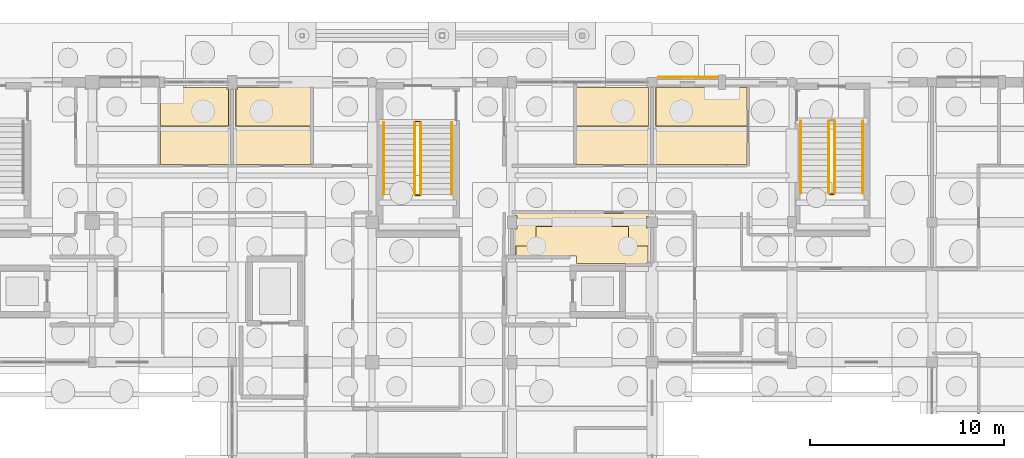
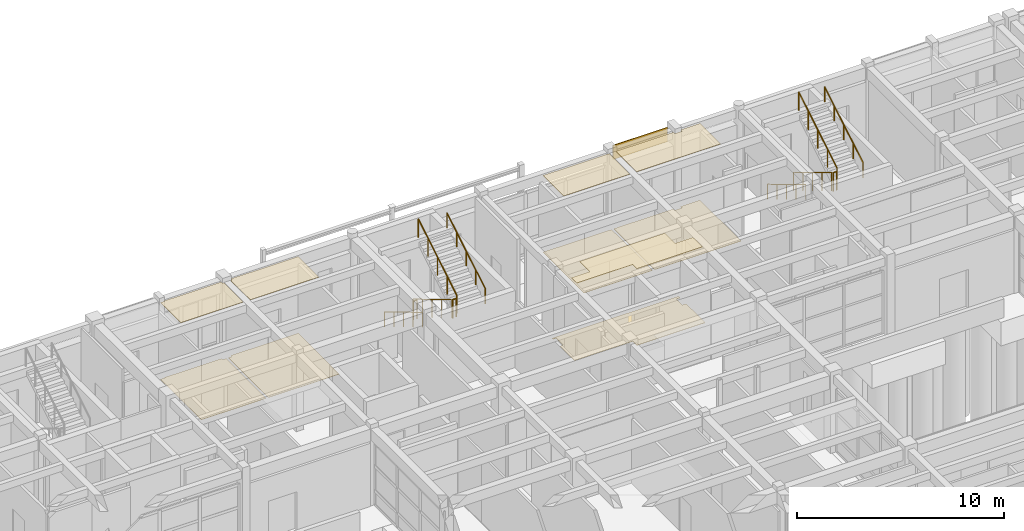
# One storey, part 137 of 143: 11 coverings, 11 railings.
"""IFC4 building model written with IfcOpenShell, lengths in metres."""

from ifc_helpers import new_model, si_unit, direction, frame, origin, origin_2d, place, context, subcontext, project, spatial, polyline, rectangle, circle, outline, extrude, material, layer, layer_set, type_object, element, save


model = new_model("IFC4")

# Units and contexts
model_context = context("Model", 3, precision=1e-05, world=origin(), true_north=direction((0.0, 1.0)))
body_context = subcontext(model_context, "Body", "Model", "MODEL_VIEW")
ifc_project = project(units=[si_unit("LENGTHUNIT", "METRE"), si_unit("AREAUNIT", "SQUARE_METRE"), si_unit("VOLUMEUNIT", "CUBIC_METRE"), si_unit("PLANEANGLEUNIT", "RADIAN"), si_unit("MASSUNIT", "GRAM", prefix="KILO")], contexts=[model_context])

# Site, building, storey
site_placement = place(None, origin())
site = spatial("IfcSite", under=ifc_project, at=site_placement, CompositionType="ELEMENT")
building_placement = place(site_placement, origin())
building = spatial("IfcBuilding", under=site, at=building_placement, Name="Steenspoor Specialist Clinic", CompositionType="ELEMENT")
storey_placement = place(building_placement, origin())
storey = spatial("IfcBuildingStorey", under=building, at=storey_placement, Name="L00", CompositionType="ELEMENT", Elevation=0.0)

# Coverings
ifc_material_1 = material(Name="Washable acoustic mineral ceiling board", Category="gypsum")
ifc_layer_1 = layer(ifc_material_1, 0.02490234375)
ifc_layer_set_1 = layer_set([ifc_layer_1], Name="Washable acoustic mineral ceiling board")
covering_type_1 = type_object("IfcCoveringType", Name="COV-CEIL-ACOUSTIC", PredefinedType="CEILING", material=ifc_layer_set_1)
covering_1_placement = place(storey_placement, frame((0.0, 0.0, 4.52490234375)))
element("IfcCovering", 1, at=covering_1_placement, inside=storey, type_object=covering_type_1, Name="Acoustic Clinical Ceiling 069", PredefinedType="CEILING", context=body_context, shape_type="SweptSolid", body=[
    extrude(outline(polyline([(91.715087890625, 99.014892578125), (91.715087890625, 99.4150390625), (88.594970703125, 99.4150390625), (88.594970703125, 99.929931640625), (89.6201171875, 99.929931640625), (89.6201171875, 100.929931640625), (94.3798828125, 100.929931640625), (94.3798828125, 99.929931640625), (95.3798828125, 99.929931640625), (95.3798828125, 99.014892578125), (91.715087890625, 99.014892578125)])), origin(), (0.0, 0.0, 1.0), 0.025146484375),
])
covering_2_placement = place(storey_placement, frame((0.0, 0.0, 4.52490234375)))
element("IfcCovering", 2, at=covering_2_placement, inside=storey, type_object=covering_type_1, Name="Acoustic Clinical Ceiling 070", PredefinedType="CEILING", context=body_context, shape_type="SweptSolid", body=[
    extrude(outline(polyline([(73.735107421875, 108.090087890625), (73.735107421875, 107.985107421875), (73.804931640625, 107.985107421875), (73.804931640625, 106.10009765625), (70.31494140625, 106.10009765625), (70.31494140625, 108.054931640625), (70.554931640625, 108.054931640625), (70.554931640625, 108.090087890625), (73.735107421875, 108.090087890625)])), origin(), (0.0, 0.0, 1.0), 0.025146484375),
])
covering_3_placement = place(storey_placement, frame((0.0, 0.0, 4.52490234375)))
element("IfcCovering", 3, at=covering_3_placement, inside=storey, type_object=covering_type_1, Name="Acoustic Clinical Ceiling 071", PredefinedType="CEILING", context=body_context, shape_type="SweptSolid", body=[
    extrude(outline(polyline([(78.034912109375, 108.090087890625), (78.034912109375, 106.090087890625), (74.195068359375, 106.090087890625), (74.195068359375, 107.985107421875), (74.264892578125, 107.985107421875), (74.264892578125, 108.090087890625), (78.034912109375, 108.090087890625)])), origin(), (0.0, 0.0, 1.0), 0.025146484375),
])
covering_4_placement = place(storey_placement, frame((0.0, 0.0, 4.52490234375)))
element("IfcCovering", 4, at=covering_4_placement, inside=storey, type_object=covering_type_1, Name="Acoustic Clinical Ceiling 072", PredefinedType="CEILING", context=body_context, shape_type="SweptSolid", body=[
    extrude(outline(polyline([(95.3349609375, 108.090087890625), (95.3349609375, 108.0849609375), (95.405029296875, 108.0849609375), (95.405029296875, 106.090087890625), (91.715087890625, 106.090087890625), (91.715087890625, 108.090087890625), (95.3349609375, 108.090087890625)])), origin(), (0.0, 0.0, 1.0), 0.025146484375),
])
covering_5_placement = place(storey_placement, frame((0.0, 0.0, 4.52490234375)))
element("IfcCovering", 5, at=covering_5_placement, inside=storey, type_object=covering_type_1, Name="Acoustic Clinical Ceiling 073", PredefinedType="CEILING", context=body_context, shape_type="SweptSolid", body=[
    extrude(outline(polyline([(100.485107421875, 106.10009765625), (95.794921875, 106.10009765625), (95.794921875, 108.0849609375), (95.864990234375, 108.0849609375), (95.864990234375, 108.090087890625), (98.9951171875, 108.090087890625), (98.9951171875, 107.955078125), (99.405029296875, 107.955078125), (99.405029296875, 108.090087890625), (100.485107421875, 108.090087890625), (100.485107421875, 106.10009765625)])), origin(), (0.0, 0.0, 1.0), 0.025146484375),
])
ifc_material_2 = material(Name="Glazed ceramic relief spandrel cladding", Category="masonry")
ifc_layer_2 = layer(ifc_material_2, 0.034912109375)
ifc_layer_set_2 = layer_set([ifc_layer_2], Name="Glazed ceramic relief spandrel cladding")
covering_type_2 = type_object("IfcCoveringType", Name="COV-CLAD-CERAMIC", PredefinedType="CLADDING", material=ifc_layer_set_2)
covering_6_placement = place(storey_placement, frame((97.429931640625, 108.60009765625, 3.71484375), z_axis=(0.0, 0.0, 1.0), x_axis=(1.0, 0.0, 0.0)))
element("IfcCovering", 6, at=covering_6_placement, inside=storey, type_object=covering_type_2, Name="Spandrel Cladding 25", PredefinedType="CLADDING", context=body_context, shape_type="SweptSolid", body=[
    extrude(rectangle(XDim=3.0400390625, YDim=0.0400390625, at=origin_2d()), origin(), (0.0, 0.0, 1.0), 0.840087890625),
])
ifc_material_3 = material(Name="Seamless clinical vinyl and terrazzo flooring", Category="plastic")
ifc_layer_3 = layer(ifc_material_3, 0.02001953125)
ifc_layer_set_3 = layer_set([ifc_layer_3], Name="Seamless clinical vinyl and terrazzo flooring")
covering_type_3 = type_object("IfcCoveringType", Name="COV-FLOOR-VINYL", PredefinedType="FLOORING", material=ifc_layer_set_3)
covering_7_placement = place(storey_placement, origin())
element("IfcCovering", 7, at=covering_7_placement, inside=storey, type_object=covering_type_3, Name="Clinical Vinyl Flooring 101", PredefinedType="FLOORING", context=body_context, shape_type="SweptSolid", body=[
    extrude(outline(polyline([(88.465087890625, 99.4150390625), (88.465087890625, 100.81005859375), (88.639892578125, 100.81005859375), (88.639892578125, 101.489990234375), (88.465087890625, 101.489990234375), (88.465087890625, 101.5849609375), (95.534912109375, 101.5849609375), (95.534912109375, 101.43994140625), (95.31005859375, 101.43994140625), (95.31005859375, 100.860107421875), (95.534912109375, 100.860107421875), (95.534912109375, 99.014892578125), (91.715087890625, 99.014892578125), (91.715087890625, 99.4150390625), (88.465087890625, 99.4150390625)])), origin(), (0.0, 0.0, 1.0), 0.02001953125),
])
covering_8_placement = place(storey_placement, origin())
element("IfcCovering", 8, at=covering_8_placement, inside=storey, type_object=covering_type_3, Name="Clinical Vinyl Flooring 102", PredefinedType="FLOORING", context=body_context, shape_type="SweptSolid", body=[
    extrude(outline(polyline([(70.31494140625, 108.054931640625), (70.554931640625, 108.054931640625), (70.554931640625, 108.090087890625), (73.735107421875, 108.090087890625), (73.735107421875, 107.985107421875), (73.93505859375, 107.985107421875), (73.93505859375, 104.114990234375), (70.31494140625, 104.114990234375), (70.31494140625, 108.054931640625)])), origin(), (0.0, 0.0, 1.0), 0.02001953125),
])
covering_9_placement = place(storey_placement, origin())
element("IfcCovering", 9, at=covering_9_placement, inside=storey, type_object=covering_type_3, Name="Clinical Vinyl Flooring 103", PredefinedType="FLOORING", context=body_context, shape_type="SweptSolid", body=[
    extrude(outline(polyline([(74.06494140625, 107.985107421875), (74.264892578125, 107.985107421875), (74.264892578125, 108.090087890625), (78.034912109375, 108.090087890625), (78.034912109375, 104.114990234375), (74.06494140625, 104.114990234375), (74.06494140625, 107.985107421875)])), origin(), (0.0, 0.0, 1.0), 0.02001953125),
])
covering_10_placement = place(storey_placement, origin())
element("IfcCovering", 10, at=covering_10_placement, inside=storey, type_object=covering_type_3, Name="Clinical Vinyl Flooring 104", PredefinedType="FLOORING", context=body_context, shape_type="SweptSolid", body=[
    extrude(outline(polyline([(91.715087890625, 108.090087890625), (95.3349609375, 108.090087890625), (95.3349609375, 108.0849609375), (95.534912109375, 108.0849609375), (95.534912109375, 104.114990234375), (91.715087890625, 104.114990234375), (91.715087890625, 108.090087890625)])), origin(), (0.0, 0.0, 1.0), 0.02001953125),
])
covering_11_placement = place(storey_placement, origin())
element("IfcCovering", 11, at=covering_11_placement, inside=storey, type_object=covering_type_3, Name="Clinical Vinyl Flooring 105", PredefinedType="FLOORING", context=body_context, shape_type="SweptSolid", body=[
    extrude(outline(polyline([(98.9951171875, 108.090087890625), (98.9951171875, 107.955078125), (99.405029296875, 107.955078125), (99.405029296875, 108.090087890625), (100.485107421875, 108.090087890625), (100.485107421875, 104.114990234375), (95.6650390625, 104.114990234375), (95.6650390625, 108.0849609375), (95.864990234375, 108.0849609375), (95.864990234375, 108.090087890625), (98.9951171875, 108.090087890625)])), origin(), (0.0, 0.0, 1.0), 0.02001953125),
])

# Railings
ifc_material_4 = material(Name="Painted architectural steel balustrade", Category="steel")
railing_type_1 = type_object("IfcRailingType", Name="RAIL-GUARD-1100", PredefinedType="GUARDRAIL", material=ifc_material_4)
railing_1_placement = place(storey_placement, frame((104.699951171875, 106.35009765625, 0.17138671875)))
element("IfcRailing", 12, at=railing_1_placement, inside=storey, type_object=railing_type_1, Name="L00 ST-V4B stair guard 1", PredefinedType="GUARDRAIL", context=body_context, shape_type="SweptSolid", body=[
    extrude(circle(Radius=0.02392578125, at=origin_2d()), frame((0.0, 0.0, 1.076171875), z_axis=(0.0, -0.856934400257, 0.515425487977), x_axis=(1.0, 0.0, 0.0)), (0.0, 0.0, 1.0), 4.32373046875),
    extrude(circle(Radius=0.02099609375, at=origin_2d()), origin(), (0.0, 0.0, 1.0), 1.052001953125),
    extrude(circle(Radius=0.02099609375, at=origin_2d()), frame((0.0, -0.92626953125, 0.55712890625)), (0.0, 0.0, 1.0), 1.052001953125),
    extrude(circle(Radius=0.02099609375, at=origin_2d()), frame((0.0, -1.8525390625, 1.1142578125)), (0.0, 0.0, 1.0), 1.052001953125),
    extrude(circle(Radius=0.02099609375, at=origin_2d()), frame((0.0, -2.77880859375, 1.67138671875)), (0.0, 0.0, 1.0), 1.052001953125),
    extrude(circle(Radius=0.02099609375, at=origin_2d()), frame((0.0, -3.705078125, 2.228515625)), (0.0, 0.0, 1.0), 1.052001953125),
])
railing_2_placement = place(storey_placement, frame((104.75, 102.594970703125, 2.39990234375)))
element("IfcRailing", 13, at=railing_2_placement, inside=storey, type_object=railing_type_1, Name="L00 ST-V4B stair guard 2", PredefinedType="GUARDRAIL", context=body_context, shape_type="SweptSolid", body=[
    extrude(circle(Radius=0.02392578125, at=origin_2d()), frame((0.0, 0.0, 1.076171875), z_axis=(1.0, 0.0, 0.0), x_axis=(0.0, 1.0, 0.0)), (0.0, 0.0, 1.0), 0.199951171875),
    extrude(circle(Radius=0.02099609375, at=origin_2d()), origin(), (0.0, 0.0, 1.0), 1.052001953125),
    extrude(circle(Radius=0.02099609375, at=origin_2d()), frame((0.199951171875, 0.0, 0.0)), (0.0, 0.0, 1.0), 1.052001953125),
])
railing_3_placement = place(storey_placement, frame((105.0, 102.64501953125, 2.571533203125)))
element("IfcRailing", 14, at=railing_3_placement, inside=storey, type_object=railing_type_1, Name="L00 ST-V4B stair guard 3", PredefinedType="GUARDRAIL", context=body_context, shape_type="SweptSolid", body=[
    extrude(circle(Radius=0.02392578125, at=origin_2d()), frame((0.0, 0.0, 1.076171875), z_axis=(0.0, 0.856934400257, 0.515425487977), x_axis=(-1.0, 0.0, 0.0)), (0.0, 0.0, 1.0), 4.32373046875),
    extrude(circle(Radius=0.02099609375, at=origin_2d()), origin(), (0.0, 0.0, 1.0), 1.052001953125),
    extrude(circle(Radius=0.02099609375, at=origin_2d()), frame((0.0, 0.92626953125, 0.55712890625)), (0.0, 0.0, 1.0), 1.052001953125),
    extrude(circle(Radius=0.02099609375, at=origin_2d()), frame((0.0, 1.8525390625, 1.1142578125)), (0.0, 0.0, 1.0), 1.052001953125),
    extrude(circle(Radius=0.02099609375, at=origin_2d()), frame((0.0, 2.77880859375, 1.67138671875)), (0.0, 0.0, 1.0), 1.052001953125),
    extrude(circle(Radius=0.02099609375, at=origin_2d()), frame((0.0, 3.705078125, 2.228515625)), (0.0, 0.0, 1.0), 1.052001953125),
])
railing_4_placement = place(storey_placement, frame((83.39990234375, 106.280029296875, 0.17138671875)))
element("IfcRailing", 15, at=railing_4_placement, inside=storey, type_object=railing_type_1, Name="L00 ST-V4C stair guard 1", PredefinedType="GUARDRAIL", context=body_context, shape_type="SweptSolid", body=[
    extrude(circle(Radius=0.02392578125, at=origin_2d()), frame((0.0, 0.0, 1.076171875), z_axis=(0.0, -0.856934400257, 0.515425487977), x_axis=(1.0, 0.0, 0.0)), (0.0, 0.0, 1.0), 4.32373046875),
    extrude(circle(Radius=0.02099609375, at=origin_2d()), origin(), (0.0, 0.0, 1.0), 1.052001953125),
    extrude(circle(Radius=0.02099609375, at=origin_2d()), frame((0.0, -0.92626953125, 0.55712890625)), (0.0, 0.0, 1.0), 1.052001953125),
    extrude(circle(Radius=0.02099609375, at=origin_2d()), frame((0.0, -1.8525390625, 1.1142578125)), (0.0, 0.0, 1.0), 1.052001953125),
    extrude(circle(Radius=0.02099609375, at=origin_2d()), frame((0.0, -2.77880859375, 1.67138671875)), (0.0, 0.0, 1.0), 1.052001953125),
    extrude(circle(Radius=0.02099609375, at=origin_2d()), frame((0.0, -3.705078125, 2.228515625)), (0.0, 0.0, 1.0), 1.052001953125),
])
railing_5_placement = place(storey_placement, frame((83.449951171875, 102.52490234375, 2.39990234375)))
element("IfcRailing", 16, at=railing_5_placement, inside=storey, type_object=railing_type_1, Name="L00 ST-V4C stair guard 2", PredefinedType="GUARDRAIL", context=body_context, shape_type="SweptSolid", body=[
    extrude(circle(Radius=0.02392578125, at=origin_2d()), frame((0.0, 0.0, 1.076171875), z_axis=(1.0, 0.0, 0.0), x_axis=(0.0, 1.0, 0.0)), (0.0, 0.0, 1.0), 0.199951171875),
    extrude(circle(Radius=0.02099609375, at=origin_2d()), origin(), (0.0, 0.0, 1.0), 1.052001953125),
    extrude(circle(Radius=0.02099609375, at=origin_2d()), frame((0.199951171875, 0.0, 0.0)), (0.0, 0.0, 1.0), 1.052001953125),
])
railing_6_placement = place(storey_placement, frame((83.699951171875, 102.574951171875, 2.571533203125)))
element("IfcRailing", 17, at=railing_6_placement, inside=storey, type_object=railing_type_1, Name="L00 ST-V4C stair guard 3", PredefinedType="GUARDRAIL", context=body_context, shape_type="SweptSolid", body=[
    extrude(circle(Radius=0.02392578125, at=origin_2d()), frame((0.0, 0.0, 1.076171875), z_axis=(0.0, 0.856934400257, 0.515425487977), x_axis=(-1.0, 0.0, 0.0)), (0.0, 0.0, 1.0), 4.32373046875),
    extrude(circle(Radius=0.02099609375, at=origin_2d()), origin(), (0.0, 0.0, 1.0), 1.052001953125),
    extrude(circle(Radius=0.02099609375, at=origin_2d()), frame((0.0, 0.92626953125, 0.55712890625)), (0.0, 0.0, 1.0), 1.052001953125),
    extrude(circle(Radius=0.02099609375, at=origin_2d()), frame((0.0, 1.8525390625, 1.1142578125)), (0.0, 0.0, 1.0), 1.052001953125),
    extrude(circle(Radius=0.02099609375, at=origin_2d()), frame((0.0, 2.77880859375, 1.67138671875)), (0.0, 0.0, 1.0), 1.052001953125),
    extrude(circle(Radius=0.02099609375, at=origin_2d()), frame((0.0, 3.705078125, 2.228515625)), (0.0, 0.0, 1.0), 1.052001953125),
])
railing_7_placement = place(storey_placement, frame((83.449951171875, 106.330078125, 0.0)))
element("IfcRailing", 18, at=railing_7_placement, inside=storey, type_object=railing_type_1, Name="L00 ST-V4C stair guard 4", PredefinedType="GUARDRAIL", context=body_context, shape_type="SweptSolid", body=[
    extrude(circle(Radius=0.02392578125, at=origin_2d()), frame((0.0, 0.0, 1.076171875), z_axis=(1.0, 0.0, 0.0), x_axis=(0.0, 1.0, 0.0)), (0.0, 0.0, 1.0), 0.199951171875),
    extrude(circle(Radius=0.02099609375, at=origin_2d()), origin(), (0.0, 0.0, 1.0), 1.052001953125),
    extrude(circle(Radius=0.02099609375, at=origin_2d()), frame((0.199951171875, 0.0, 0.0)), (0.0, 0.0, 1.0), 1.052001953125),
])
ifc_material_5 = material(Name="Brushed stainless steel clinical handrail", Category="steel")
railing_type_2 = type_object("IfcRailingType", Name="RAIL-HAND-900", PredefinedType="HANDRAIL", material=ifc_material_5)
railing_8_placement = place(storey_placement, frame((103.25, 106.35009765625, 0.17138671875)))
element("IfcRailing", 19, at=railing_8_placement, inside=storey, type_object=railing_type_2, Name="L00 ST-V4B stair handrail 1", PredefinedType="HANDRAIL", context=body_context, shape_type="SweptSolid", body=[
    extrude(circle(Radius=0.02392578125, at=origin_2d()), frame((0.0, 0.0, 0.8759765625), z_axis=(0.0, -0.856934400257, 0.515425487977), x_axis=(1.0, 0.0, 0.0)), (0.0, 0.0, 1.0), 4.32373046875),
    extrude(circle(Radius=0.02099609375, at=origin_2d()), origin(), (0.0, 0.0, 1.0), 0.851806640625),
    extrude(circle(Radius=0.02099609375, at=origin_2d()), frame((0.0, -0.92626953125, 0.55712890625)), (0.0, 0.0, 1.0), 0.851806640625),
    extrude(circle(Radius=0.02099609375, at=origin_2d()), frame((0.0, -1.8525390625, 1.1142578125)), (0.0, 0.0, 1.0), 0.851806640625),
    extrude(circle(Radius=0.02099609375, at=origin_2d()), frame((0.0, -2.77880859375, 1.67138671875)), (0.0, 0.0, 1.0), 0.851806640625),
    extrude(circle(Radius=0.02099609375, at=origin_2d()), frame((0.0, -3.705078125, 2.228515625)), (0.0, 0.0, 1.0), 0.851806640625),
])
railing_9_placement = place(storey_placement, frame((106.449951171875, 102.64501953125, 2.571533203125)))
element("IfcRailing", 20, at=railing_9_placement, inside=storey, type_object=railing_type_2, Name="L00 ST-V4B stair handrail 2", PredefinedType="HANDRAIL", context=body_context, shape_type="SweptSolid", body=[
    extrude(circle(Radius=0.02392578125, at=origin_2d()), frame((0.0, 0.0, 0.8759765625), z_axis=(0.0, 0.856934400257, 0.515425487977), x_axis=(-1.0, 0.0, 0.0)), (0.0, 0.0, 1.0), 4.32373046875),
    extrude(circle(Radius=0.02099609375, at=origin_2d()), origin(), (0.0, 0.0, 1.0), 0.851806640625),
    extrude(circle(Radius=0.02099609375, at=origin_2d()), frame((0.0, 0.92626953125, 0.55712890625)), (0.0, 0.0, 1.0), 0.851806640625),
    extrude(circle(Radius=0.02099609375, at=origin_2d()), frame((0.0, 1.8525390625, 1.1142578125)), (0.0, 0.0, 1.0), 0.851806640625),
    extrude(circle(Radius=0.02099609375, at=origin_2d()), frame((0.0, 2.77880859375, 1.67138671875)), (0.0, 0.0, 1.0), 0.851806640625),
    extrude(circle(Radius=0.02099609375, at=origin_2d()), frame((0.0, 3.705078125, 2.228515625)), (0.0, 0.0, 1.0), 0.851806640625),
])
railing_10_placement = place(storey_placement, frame((81.800048828125, 106.280029296875, 0.17138671875)))
element("IfcRailing", 21, at=railing_10_placement, inside=storey, type_object=railing_type_2, Name="L00 ST-V4C stair handrail 1", PredefinedType="HANDRAIL", context=body_context, shape_type="SweptSolid", body=[
    extrude(circle(Radius=0.02392578125, at=origin_2d()), frame((0.0, 0.0, 0.8759765625), z_axis=(0.0, -0.856934400257, 0.515425487977), x_axis=(1.0, 0.0, 0.0)), (0.0, 0.0, 1.0), 4.32373046875),
    extrude(circle(Radius=0.02099609375, at=origin_2d()), origin(), (0.0, 0.0, 1.0), 0.851806640625),
    extrude(circle(Radius=0.02099609375, at=origin_2d()), frame((0.0, -0.92626953125, 0.55712890625)), (0.0, 0.0, 1.0), 0.851806640625),
    extrude(circle(Radius=0.02099609375, at=origin_2d()), frame((0.0, -1.8525390625, 1.1142578125)), (0.0, 0.0, 1.0), 0.851806640625),
    extrude(circle(Radius=0.02099609375, at=origin_2d()), frame((0.0, -2.77880859375, 1.67138671875)), (0.0, 0.0, 1.0), 0.851806640625),
    extrude(circle(Radius=0.02099609375, at=origin_2d()), frame((0.0, -3.705078125, 2.228515625)), (0.0, 0.0, 1.0), 0.851806640625),
])
railing_11_placement = place(storey_placement, frame((85.300048828125, 102.574951171875, 2.571533203125)))
element("IfcRailing", 22, at=railing_11_placement, inside=storey, type_object=railing_type_2, Name="L00 ST-V4C stair handrail 2", PredefinedType="HANDRAIL", context=body_context, shape_type="SweptSolid", body=[
    extrude(circle(Radius=0.02392578125, at=origin_2d()), frame((0.0, 0.0, 0.8759765625), z_axis=(0.0, 0.856934400257, 0.515425487977), x_axis=(-1.0, 0.0, 0.0)), (0.0, 0.0, 1.0), 4.32373046875),
    extrude(circle(Radius=0.02099609375, at=origin_2d()), origin(), (0.0, 0.0, 1.0), 0.851806640625),
    extrude(circle(Radius=0.02099609375, at=origin_2d()), frame((0.0, 0.92626953125, 0.55712890625)), (0.0, 0.0, 1.0), 0.851806640625),
    extrude(circle(Radius=0.02099609375, at=origin_2d()), frame((0.0, 1.8525390625, 1.1142578125)), (0.0, 0.0, 1.0), 0.851806640625),
    extrude(circle(Radius=0.02099609375, at=origin_2d()), frame((0.0, 2.77880859375, 1.67138671875)), (0.0, 0.0, 1.0), 0.851806640625),
    extrude(circle(Radius=0.02099609375, at=origin_2d()), frame((0.0, 3.705078125, 2.228515625)), (0.0, 0.0, 1.0), 0.851806640625),
])

save(model, "model.ifc")
